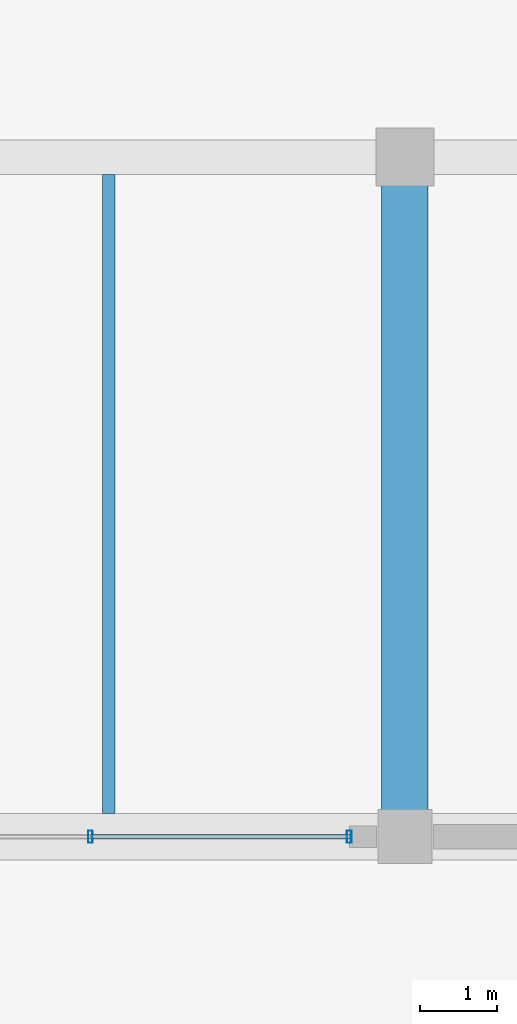
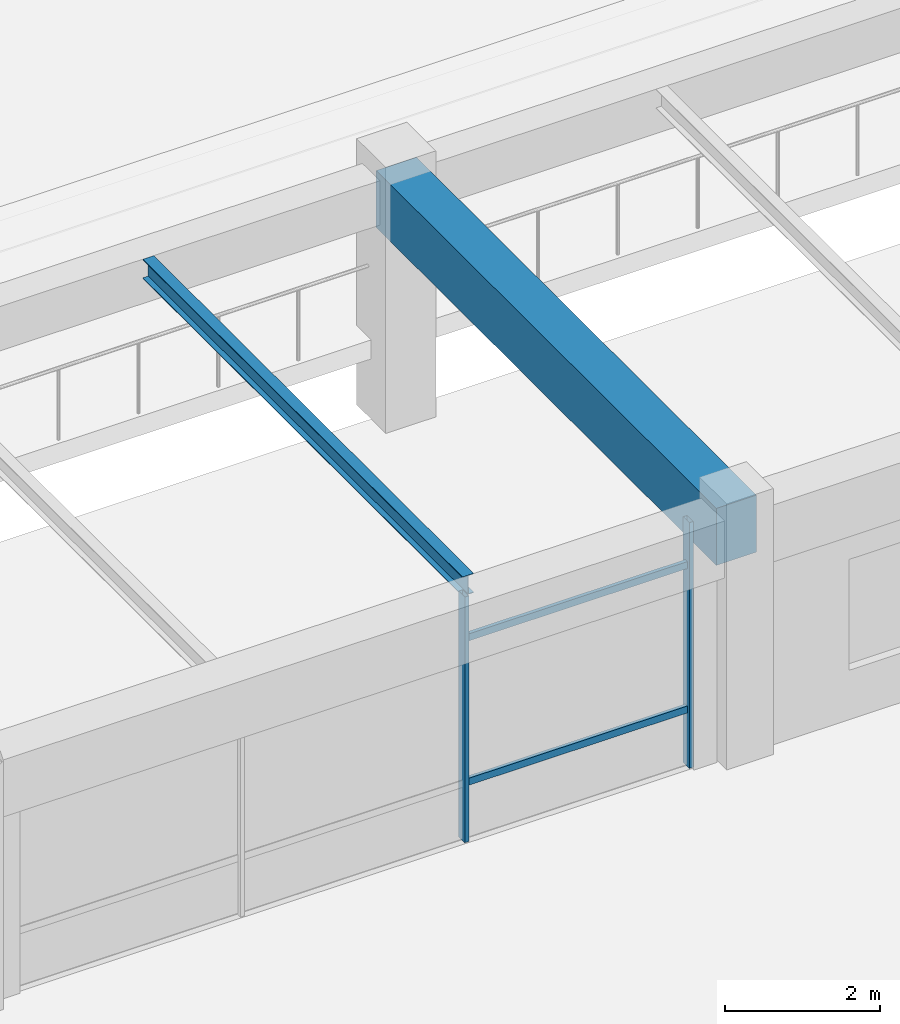
# One storey, part 58 of 109: 4 members, 2 beams, 1 element without a shape of its own.
"""IFC4 building model written with IfcOpenShell, lengths in metres."""

from ifc_helpers import new_model, si_unit, direction, frame, origin, origin_2d, place, context, subcontext, project, spatial, rectangle, hollow_rectangle, i_section, extrude, material, material_profile, profile_set, type_object, element, aggregate, save


model = new_model("IFC4")

# Units and contexts
model_context = context("Model", 3, precision=1e-05, world=origin(), true_north=direction((0.0, 1.0)))
body_context = subcontext(model_context, "Body", "Model", "MODEL_VIEW")
ifc_project = project(units=[si_unit("LENGTHUNIT", "METRE"), si_unit("AREAUNIT", "SQUARE_METRE"), si_unit("VOLUMEUNIT", "CUBIC_METRE"), si_unit("PLANEANGLEUNIT", "RADIAN"), si_unit("MASSUNIT", "GRAM", prefix="KILO")], contexts=[model_context])

# Site, building, storey
site_placement = place(None, origin())
site = spatial("IfcSite", under=ifc_project, at=site_placement, CompositionType="ELEMENT")
building_placement = place(site_placement, origin())
building = spatial("IfcBuilding", under=site, at=building_placement, Name="Ologun Quay Terminus", CompositionType="ELEMENT")
storey_placement = place(building_placement, origin())
storey = spatial("IfcBuildingStorey", under=building, at=storey_placement, Name="L00", CompositionType="ELEMENT", Elevation=0.0)

# Curtain wall, members
ifc_material_1 = material(Name="Aluminium 6063-T6", Category="aluminium")
curtain_wall_type = type_object("IfcCurtainWallType", Name="Forecourt Arcade Curtain Wall 10700x3750", PredefinedType="USERDEFINED", material=ifc_material_1)
curtain_wall_placement = place(storey_placement, origin())
curtain_wall = element("IfcCurtainWall", 1, at=curtain_wall_placement, inside=storey, type_object=curtain_wall_type, Name="CW-03 Curtain Wall CW-L00-008", ObjectType="UNITISED CURTAIN WALL", PredefinedType="USERDEFINED")
ifc_material_2 = material(Name="Aluminium 6063-T6", Category="aluminium")
ifc_material_profile_1 = material_profile(ifc_material_2, hollow_rectangle(XDim=0.06005859375, YDim=0.159912109375, WallThickness=0.00390625, at=origin_2d()), Name="ALU 160x60x4")
ifc_profile_set_1 = profile_set([ifc_material_profile_1], Name="Aluminium 6063-T6")
member_type_1 = type_object("IfcMemberType", Name="Curtain Wall Standard Mullion 160x65", PredefinedType="MULLION", material=ifc_profile_set_1)
member_1_placement = place(storey_placement, frame((145.4267578125, 27.199951171875, 0.0), z_axis=(0.0, 0.0, 1.0), x_axis=(1.0, 0.0, 0.0)))
member_1 = element("IfcMember", 2, at=member_1_placement, type_object=member_type_1, Name="CW-L00-008 Mullion 3", PredefinedType="MULLION", context=body_context, shape_type="SweptSolid", body=[
    extrude(hollow_rectangle(XDim=0.06005859375, YDim=0.159912109375, WallThickness=0.00390625, at=origin_2d()), origin(), (0.0, 0.0, 1.0), 3.8798828125),
])
member_2_placement = place(storey_placement, frame((148.780029296875, 27.199951171875, 0.0), z_axis=(0.0, 0.0, 1.0), x_axis=(1.0, 0.0, 0.0)))
member_2 = element("IfcMember", 3, at=member_2_placement, type_object=member_type_1, Name="CW-L00-008 Mullion 4", PredefinedType="MULLION", context=body_context, shape_type="SweptSolid", body=[
    extrude(hollow_rectangle(XDim=0.06005859375, YDim=0.159912109375, WallThickness=0.00390625, at=origin_2d()), origin(), (0.0, 0.0, 1.0), 3.8798828125),
])
ifc_material_3 = material(Name="Aluminium 6063-T6", Category="aluminium")
ifc_material_profile_2 = material_profile(ifc_material_3, hollow_rectangle(XDim=0.054931640625, YDim=0.110107421875, WallThickness=0.00390625, at=origin_2d()), Name="ALU 110x55x4")
ifc_profile_set_2 = profile_set([ifc_material_profile_2], Name="Aluminium 6063-T6")
member_type_2 = type_object("IfcMemberType", Name="Curtain Wall Standard Transom 110x55", PredefinedType="USERDEFINED", material=ifc_profile_set_2)
member_3_placement = place(storey_placement, frame((145.4267578125, 27.199951171875, 0.89990234375), z_axis=(1.0, 0.0, 0.0), x_axis=(0.0, 1.0, 0.0)))
member_3 = element("IfcMember", 4, at=member_3_placement, type_object=member_type_2, Name="CW-L00-008 Transom B3-1", ObjectType="TRANSOM", PredefinedType="USERDEFINED", context=body_context, shape_type="SweptSolid", body=[
    extrude(hollow_rectangle(XDim=0.054931640625, YDim=0.110107421875, WallThickness=0.00390625, at=origin_2d()), origin(), (0.0, 0.0, 1.0), 3.353271484375),
])
member_4_placement = place(storey_placement, frame((145.4267578125, 27.199951171875, 3.179931640625), z_axis=(1.0, 0.0, 0.0), x_axis=(0.0, 1.0, 0.0)))
member_4 = element("IfcMember", 5, at=member_4_placement, type_object=member_type_2, Name="CW-L00-008 Transom B3-2", ObjectType="TRANSOM", PredefinedType="USERDEFINED", context=body_context, shape_type="SweptSolid", body=[
    extrude(hollow_rectangle(XDim=0.054931640625, YDim=0.110107421875, WallThickness=0.00390625, at=origin_2d()), origin(), (0.0, 0.0, 1.0), 3.353271484375),
])
aggregate(curtain_wall, [member_1, member_2, member_3, member_4])

# Beams
ifc_material_4 = material(Name="Steel S355", Category="steel")
ifc_material_profile_3 = material_profile(ifc_material_4, i_section(OverallWidth=0.1650390625, OverallDepth=0.303466796875, WebThickness=0.006103515625, FlangeThickness=0.01025390625, at=origin_2d()), Name="UKB 305x165x40")
ifc_profile_set_3 = profile_set([ifc_material_profile_3], Name="Steel S355")
beam_type_1 = type_object("IfcBeamType", Name="Mezzanine Steel Joist UKB305", PredefinedType="JOIST", material=ifc_profile_set_3)
beam_1_placement = place(storey_placement, frame((145.666748046875, 27.5, 3.748291015625), z_axis=(0.0, 1.0, 0.0), x_axis=(-1.0, 0.0, 0.0)))
element("IfcBeam", 6, at=beam_1_placement, inside=storey, type_object=beam_type_1, Name="SJ1 Beam 13/D L00", PredefinedType="JOIST", context=body_context, shape_type="SweptSolid", body=[
    extrude(i_section(OverallWidth=0.1650390625, OverallDepth=0.303466796875, WebThickness=0.006103515625, FlangeThickness=0.01025390625, at=origin_2d()), origin(), (0.0, 0.0, 1.0), 8.27490234375),
])
ifc_material_5 = material(Name="Concrete C40/50", Category="concrete")
ifc_material_profile_4 = material_profile(ifc_material_5, rectangle(XDim=0.60009765625, YDim=0.89990234375, at=origin_2d()), Name="RC 600x900")
ifc_profile_set_4 = profile_set([ifc_material_profile_4], Name="Concrete C40/50")
beam_type_2 = type_object("IfcBeamType", Name="Station Frame Girder 600x900", PredefinedType="BEAM", material=ifc_profile_set_4)
beam_2_placement = place(storey_placement, frame((149.5, 27.199951171875, 3.449951171875), z_axis=(0.0, 1.0, 0.0), x_axis=(-1.0, 0.0, 0.0)))
element("IfcBeam", 7, at=beam_2_placement, inside=storey, type_object=beam_type_2, Name="B3 Beam 14/D L00", PredefinedType="BEAM", context=body_context, shape_type="SweptSolid", body=[
    extrude(rectangle(XDim=0.60009765625, YDim=0.89990234375, at=origin_2d()), origin(), (0.0, 0.0, 1.0), 8.800048828125),
])

save(model, "model.ifc")
